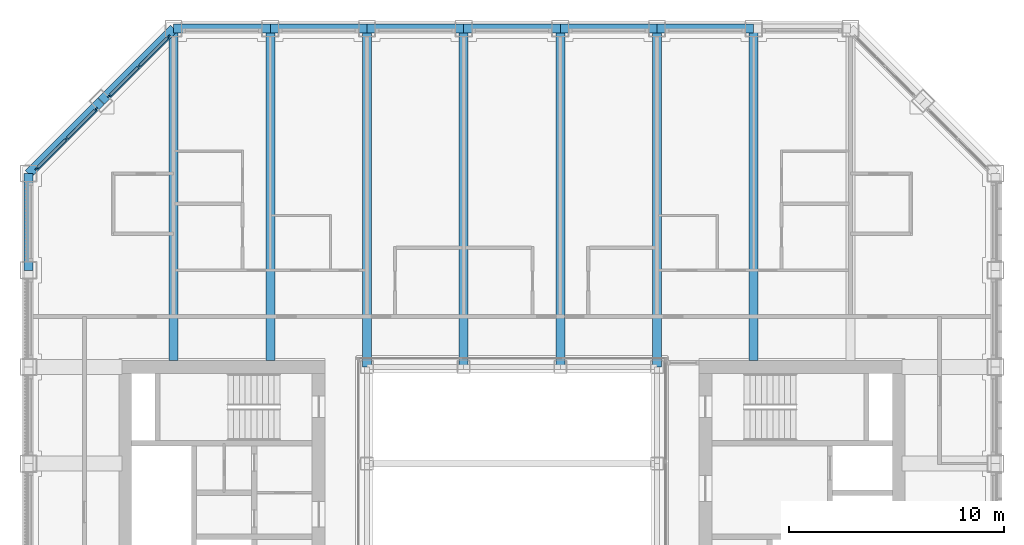
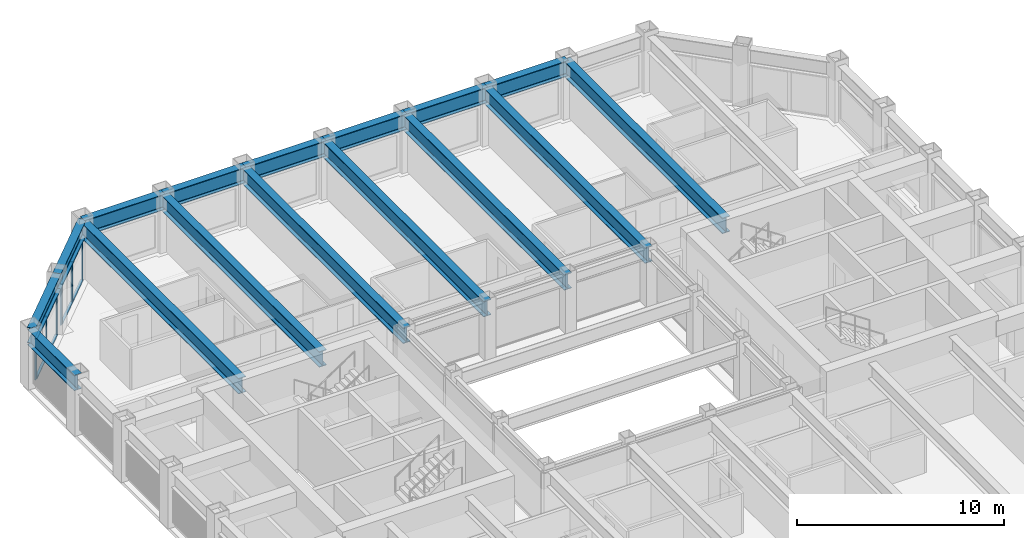
# One storey, part 7 of 18: 16 beams, 14 members, 2 elements without a shape of their own.
"""IFC4 building model written with IfcOpenShell, lengths in metres."""

from ifc_helpers import new_model, si_unit, direction, frame, origin, origin_2d, place, context, subcontext, project, spatial, rectangle, i_section, extrude, material, material_profile, profile_set, type_object, element, aggregate, save


model = new_model("IFC4")

# Units and contexts
model_context = context("Model", 3, precision=1e-05, world=origin(), true_north=direction((0.0, 1.0)))
body_context = subcontext(model_context, "Body", "Model", "MODEL_VIEW")
ifc_project = project(units=[si_unit("LENGTHUNIT", "METRE"), si_unit("AREAUNIT", "SQUARE_METRE"), si_unit("VOLUMEUNIT", "CUBIC_METRE"), si_unit("PLANEANGLEUNIT", "RADIAN"), si_unit("MASSUNIT", "GRAM", prefix="KILO")], contexts=[model_context])

# Site, building, storey
site_placement = place(None, origin())
site = spatial("IfcSite", under=ifc_project, at=site_placement, CompositionType="ELEMENT")
building_placement = place(site_placement, origin())
building = spatial("IfcBuilding", under=site, at=building_placement, Name="Msasa Ring Tower", CompositionType="ELEMENT")
storey_placement = place(building_placement, frame((0.0, 0.0, 186.800048828125)))
storey = spatial("IfcBuildingStorey", under=building, at=storey_placement, Name="L49", CompositionType="ELEMENT", Elevation=186.800048828125)

# Curtain wall, members
ifc_material_1 = material(Name="Aluminium curtain wall with clear glass", Category="aluminium")
curtain_wall_type = type_object("IfcCurtainWallType", Name="CW-C CHAMFER CORNER CURTAIN WALL", PredefinedType="NOTDEFINED", material=ifc_material_1)
curtain_wall_1_placement = place(storey_placement, origin())
curtain_wall_1 = element("IfcCurtainWall", 1, at=curtain_wall_1_placement, inside=storey, type_object=curtain_wall_type, Name="Chamfer corner curtain wall NW L49", PredefinedType="NOTDEFINED")
ifc_material_2 = material(Name="Aluminium mullion", Category="aluminium")
ifc_material_profile_1 = material_profile(ifc_material_2, rectangle(XDim=0.06494140625, YDim=0.179931640625, at=origin_2d()), Name="AL 65x180")
ifc_profile_set_1 = profile_set([ifc_material_profile_1], Name="Aluminium mullion")
member_type_1 = type_object("IfcMemberType", Name="CW-C MULLION 65x180", PredefinedType="MULLION", material=ifc_profile_set_1)
member_1_placement = place(storey_placement, frame((-19.36376953125, 18.744873046875, 0.0), z_axis=(0.0, 0.0, 1.0), x_axis=(0.707106781187, -0.707106781187, 0.0)))
member_1 = element("IfcMember", 2, at=member_1_placement, type_object=member_type_1, Name="CW-C mullion 1", PredefinedType="MULLION", context=body_context, shape_type="SweptSolid", body=[
    extrude(rectangle(XDim=0.06494140625, YDim=0.179931640625, at=origin_2d()), origin(), (0.0, 0.0, 1.0), 2.37890625),
])
member_2_placement = place(storey_placement, frame((-20.74169921875, 17.36669921875, 0.0), z_axis=(0.0, 0.0, 1.0), x_axis=(0.707106781187, -0.707106781187, 0.0)))
member_2 = element("IfcMember", 3, at=member_2_placement, type_object=member_type_1, Name="CW-C mullion 2", PredefinedType="MULLION", context=body_context, shape_type="SweptSolid", body=[
    extrude(rectangle(XDim=0.06494140625, YDim=0.179931640625, at=origin_2d()), origin(), (0.0, 0.0, 1.0), 2.37890625),
])
member_3_placement = place(storey_placement, frame((-22.119873046875, 15.98876953125, 0.0), z_axis=(0.0, 0.0, 1.0), x_axis=(0.707106781187, -0.707106781187, 0.0)))
member_3 = element("IfcMember", 4, at=member_3_placement, type_object=member_type_1, Name="CW-C mullion 3", PredefinedType="MULLION", context=body_context, shape_type="SweptSolid", body=[
    extrude(rectangle(XDim=0.06494140625, YDim=0.179931640625, at=origin_2d()), origin(), (0.0, 0.0, 1.0), 2.37890625),
])

curtain_wall_2_placement = place(storey_placement, origin())
curtain_wall_2 = element("IfcCurtainWall", 5, at=curtain_wall_2_placement, inside=storey, type_object=curtain_wall_type, Name="Chamfer corner curtain wall NW L49", PredefinedType="NOTDEFINED")
member_4_placement = place(storey_placement, frame((-15.98876953125, 22.119873046875, 0.0), z_axis=(0.0, 0.0, 1.0), x_axis=(0.707106781187, -0.707106781187, 0.0)))
member_4 = element("IfcMember", 6, at=member_4_placement, type_object=member_type_1, Name="CW-C mullion 1", PredefinedType="MULLION", context=body_context, shape_type="SweptSolid", body=[
    extrude(rectangle(XDim=0.06494140625, YDim=0.179931640625, at=origin_2d()), origin(), (0.0, 0.0, 1.0), 2.37890625),
])
member_5_placement = place(storey_placement, frame((-17.36669921875, 20.74169921875, 0.0), z_axis=(0.0, 0.0, 1.0), x_axis=(0.707106781187, -0.707106781187, 0.0)))
member_5 = element("IfcMember", 7, at=member_5_placement, type_object=member_type_1, Name="CW-C mullion 2", PredefinedType="MULLION", context=body_context, shape_type="SweptSolid", body=[
    extrude(rectangle(XDim=0.06494140625, YDim=0.179931640625, at=origin_2d()), origin(), (0.0, 0.0, 1.0), 2.37890625),
])
member_6_placement = place(storey_placement, frame((-18.744873046875, 19.36376953125, 0.0), z_axis=(0.0, 0.0, 1.0), x_axis=(0.707106781187, -0.707106781187, 0.0)))
member_6 = element("IfcMember", 8, at=member_6_placement, type_object=member_type_1, Name="CW-C mullion 3", PredefinedType="MULLION", context=body_context, shape_type="SweptSolid", body=[
    extrude(rectangle(XDim=0.06494140625, YDim=0.179931640625, at=origin_2d()), origin(), (0.0, 0.0, 1.0), 2.37890625),
])

# Member
ifc_material_3 = material(Name="Aluminium transom", Category="aluminium")
ifc_material_profile_2 = material_profile(ifc_material_3, rectangle(XDim=0.139892578125, YDim=0.06494140625, at=origin_2d()), Name="AL 65x140")
ifc_profile_set_2 = profile_set([ifc_material_profile_2], Name="Aluminium transom")
member_type_2 = type_object("IfcMemberType", Name="CW-C TRANSOM 65x140", PredefinedType="USERDEFINED", material=ifc_profile_set_2)
member_7_placement = place(storey_placement, frame((-19.38671875, 18.721923828125, 0.032470703125), z_axis=(-0.707106781187, -0.707106781187, 0.0), x_axis=(0.707106781187, -0.707106781187, 0.0)))
member_7 = element("IfcMember", 9, at=member_7_placement, type_object=member_type_2, Name="CW-C transom 1.1", ObjectType="TRANSOM", PredefinedType="USERDEFINED", context=body_context, shape_type="SweptSolid", body=[
    extrude(rectangle(XDim=0.139892578125, YDim=0.06494140625, at=origin_2d()), origin(), (0.0, 0.0, 1.0), 1.8837890625),
])

member_8_placement = place(storey_placement, frame((-19.38671875, 18.721923828125, 2.346435546875), z_axis=(-0.707106781187, -0.707106781187, 0.0), x_axis=(0.707106781187, -0.707106781187, 0.0)))
member_8 = element("IfcMember", 10, at=member_8_placement, type_object=member_type_2, Name="CW-C transom 1.2", ObjectType="TRANSOM", PredefinedType="USERDEFINED", context=body_context, shape_type="SweptSolid", body=[
    extrude(rectangle(XDim=0.139892578125, YDim=0.06494140625, at=origin_2d()), origin(), (0.0, 0.0, 1.0), 1.8837890625),
])

member_9_placement = place(storey_placement, frame((-20.764892578125, 17.34375, 0.032470703125), z_axis=(-0.707106781187, -0.707106781187, 0.0), x_axis=(0.707106781187, -0.707106781187, 0.0)))
member_9 = element("IfcMember", 11, at=member_9_placement, type_object=member_type_2, Name="CW-C transom 2.1", ObjectType="TRANSOM", PredefinedType="USERDEFINED", context=body_context, shape_type="SweptSolid", body=[
    extrude(rectangle(XDim=0.139892578125, YDim=0.06494140625, at=origin_2d()), origin(), (0.0, 0.0, 1.0), 1.8837890625),
])

member_10_placement = place(storey_placement, frame((-20.764892578125, 17.34375, 2.346435546875), z_axis=(-0.707106781187, -0.707106781187, 0.0), x_axis=(0.707106781187, -0.707106781187, 0.0)))
member_10 = element("IfcMember", 12, at=member_10_placement, type_object=member_type_2, Name="CW-C transom 2.2", ObjectType="TRANSOM", PredefinedType="USERDEFINED", context=body_context, shape_type="SweptSolid", body=[
    extrude(rectangle(XDim=0.139892578125, YDim=0.06494140625, at=origin_2d()), origin(), (0.0, 0.0, 1.0), 1.8837890625),
])

aggregate(curtain_wall_1, [member_1, member_2, member_3, member_7, member_8, member_9, member_10])

member_11_placement = place(storey_placement, frame((-16.01171875, 22.096923828125, 0.032470703125), z_axis=(-0.707106781187, -0.707106781187, 0.0), x_axis=(0.707106781187, -0.707106781187, 0.0)))
member_11 = element("IfcMember", 13, at=member_11_placement, type_object=member_type_2, Name="CW-C transom 1.1", ObjectType="TRANSOM", PredefinedType="USERDEFINED", context=body_context, shape_type="SweptSolid", body=[
    extrude(rectangle(XDim=0.139892578125, YDim=0.06494140625, at=origin_2d()), origin(), (0.0, 0.0, 1.0), 1.8837890625),
])

member_12_placement = place(storey_placement, frame((-16.01171875, 22.096923828125, 2.346435546875), z_axis=(-0.707106781187, -0.707106781187, 0.0), x_axis=(0.707106781187, -0.707106781187, 0.0)))
member_12 = element("IfcMember", 14, at=member_12_placement, type_object=member_type_2, Name="CW-C transom 1.2", ObjectType="TRANSOM", PredefinedType="USERDEFINED", context=body_context, shape_type="SweptSolid", body=[
    extrude(rectangle(XDim=0.139892578125, YDim=0.06494140625, at=origin_2d()), origin(), (0.0, 0.0, 1.0), 1.8837890625),
])

member_13_placement = place(storey_placement, frame((-17.389892578125, 20.71875, 0.032470703125), z_axis=(-0.707106781187, -0.707106781187, 0.0), x_axis=(0.707106781187, -0.707106781187, 0.0)))
member_13 = element("IfcMember", 15, at=member_13_placement, type_object=member_type_2, Name="CW-C transom 2.1", ObjectType="TRANSOM", PredefinedType="USERDEFINED", context=body_context, shape_type="SweptSolid", body=[
    extrude(rectangle(XDim=0.139892578125, YDim=0.06494140625, at=origin_2d()), origin(), (0.0, 0.0, 1.0), 1.8837890625),
])

member_14_placement = place(storey_placement, frame((-17.389892578125, 20.71875, 2.346435546875), z_axis=(-0.707106781187, -0.707106781187, 0.0), x_axis=(0.707106781187, -0.707106781187, 0.0)))
member_14 = element("IfcMember", 16, at=member_14_placement, type_object=member_type_2, Name="CW-C transom 2.2", ObjectType="TRANSOM", PredefinedType="USERDEFINED", context=body_context, shape_type="SweptSolid", body=[
    extrude(rectangle(XDim=0.139892578125, YDim=0.06494140625, at=origin_2d()), origin(), (0.0, 0.0, 1.0), 1.8837890625),
])

aggregate(curtain_wall_2, [member_4, member_5, member_6, member_11, member_12, member_13, member_14])

# Beams
ifc_material_4 = material(Name="Steel S355", Category="steel")
ifc_material_profile_3 = material_profile(ifc_material_4, i_section(OverallWidth=0.42041015625, OverallDepth=0.9208984375, WebThickness=0.021484375, FlangeThickness=0.03662109375, FilletRadius=0.024169921875, at=origin_2d()), Name="UB 914x419x388")
ifc_profile_set_3 = profile_set([ifc_material_profile_3], Name="Steel S355")
beam_type_1 = type_object("IfcBeamType", Name="FB2 UB 914x419x388", PredefinedType="BEAM", material=ifc_profile_set_3)
for number, where, z_axis, x_axis, name in (
    (17, (-15.75, 22.5, 2.83935546875), (0.0, -1.0, 0.0), (1.0, 0.0, 0.0), "Floor beam N-15.75 under L50"),
    (18, (-11.25, 22.5, 2.83935546875), (0.0, -1.0, 0.0), (1.0, 0.0, 0.0), "Floor beam N-11.25 under L50"),
):
    element("IfcBeam", number, at=place(storey_placement, frame(where, z_axis=z_axis, x_axis=x_axis)), inside=storey, type_object=beam_type_1, Name=name, PredefinedType="BEAM", context=body_context, shape_type="SweptSolid", body=[
        extrude(i_section(OverallWidth=0.42041015625, OverallDepth=0.9208984375, WebThickness=0.021484375, FlangeThickness=0.03662109375, FilletRadius=0.024169921875, at=origin_2d()), origin(), (0.0, 0.0, 1.0), 15.449951171875),
    ])
for number, where, z_axis, x_axis, name in (
    (19, (-6.75, 22.5, 2.83935546875), (0.0, -1.0, 0.0), (1.0, 0.0, 0.0), "Floor beam N-6.75 under L50"),
    (20, (-2.25, 22.5, 2.83935546875), (0.0, -1.0, 0.0), (1.0, 0.0, 0.0), "Floor beam N-2.25 under L50"),
    (21, (2.25, 22.5, 2.83935546875), (0.0, -1.0, 0.0), (1.0, 0.0, 0.0), "Floor beam N+2.25 under L50"),
    (22, (6.75, 22.5, 2.83935546875), (0.0, -1.0, 0.0), (1.0, 0.0, 0.0), "Floor beam N+6.75 under L50"),
):
    element("IfcBeam", number, at=place(storey_placement, frame(where, z_axis=z_axis, x_axis=x_axis)), inside=storey, type_object=beam_type_1, Name=name, PredefinedType="BEAM", context=body_context, shape_type="SweptSolid", body=[
        extrude(i_section(OverallWidth=0.42041015625, OverallDepth=0.9208984375, WebThickness=0.021484375, FlangeThickness=0.03662109375, FilletRadius=0.024169921875, at=origin_2d()), origin(), (0.0, 0.0, 1.0), 15.75),
    ])
beam_1_placement = place(storey_placement, frame((11.25, 22.5, 2.83935546875), z_axis=(0.0, -1.0, 0.0), x_axis=(1.0, 0.0, 0.0)))
element("IfcBeam", 23, at=beam_1_placement, inside=storey, type_object=beam_type_1, Name="Floor beam N+11.25 under L50", PredefinedType="BEAM", context=body_context, shape_type="SweptSolid", body=[
    extrude(i_section(OverallWidth=0.42041015625, OverallDepth=0.9208984375, WebThickness=0.021484375, FlangeThickness=0.03662109375, FilletRadius=0.024169921875, at=origin_2d()), origin(), (0.0, 0.0, 1.0), 15.449951171875),
])
ifc_material_5 = material(Name="Steel S355", Category="steel")
ifc_material_profile_4 = material_profile(ifc_material_5, i_section(OverallWidth=0.42041015625, OverallDepth=0.9208984375, WebThickness=0.021484375, FlangeThickness=0.03662109375, FilletRadius=0.024169921875, at=origin_2d()), Name="UB 914x419x388")
ifc_profile_set_4 = profile_set([ifc_material_profile_4], Name="Steel S355")
beam_type_2 = type_object("IfcBeamType", Name="SB1 UB 914x419x388", PredefinedType="SPANDREL", material=ifc_profile_set_4)
for number, where, z_axis, x_axis, name in (
    (24, (11.25, 22.5, 2.83935546875), (-1.0, 0.0, 0.0), (0.0, -1.0, 0.0), "Spandrel N+11.25 to N+6.75 under L50"),
    (25, (6.75, 22.5, 2.83935546875), (-1.0, 0.0, 0.0), (0.0, -1.0, 0.0), "Spandrel N+6.75 to N+2.25 under L50"),
    (26, (2.25, 22.5, 2.83935546875), (-1.0, 0.0, 0.0), (0.0, -1.0, 0.0), "Spandrel N+2.25 to N-2.25 under L50"),
    (27, (-2.25, 22.5, 2.83935546875), (-1.0, 0.0, 0.0), (0.0, -1.0, 0.0), "Spandrel N-2.25 to N-6.75 under L50"),
    (28, (-6.75, 22.5, 2.83935546875), (-1.0, 0.0, 0.0), (0.0, -1.0, 0.0), "Spandrel N-6.75 to N-11.25 under L50"),
    (29, (-11.25, 22.5, 2.83935546875), (-1.0, 0.0, 0.0), (0.0, -1.0, 0.0), "Spandrel N-11.25 to N-15.75 under L50"),
):
    element("IfcBeam", number, at=place(storey_placement, frame(where, z_axis=z_axis, x_axis=x_axis)), inside=storey, type_object=beam_type_2, Name=name, PredefinedType="SPANDREL", context=body_context, shape_type="SweptSolid", body=[
        extrude(i_section(OverallWidth=0.42041015625, OverallDepth=0.9208984375, WebThickness=0.021484375, FlangeThickness=0.03662109375, FilletRadius=0.024169921875, at=origin_2d()), origin(), (0.0, 0.0, 1.0), 4.5),
    ])
for number, where, z_axis, x_axis, name in (
    (30, (-15.75, 22.5, 2.83935546875), (-0.707106781187, -0.707106781187, 0.0), (0.707106781187, -0.707106781187, 0.0), "Spandrel N-15.75 to NW under L50"),
    (31, (-19.125, 19.125, 2.83935546875), (-0.707106781187, -0.707106781187, 0.0), (0.707106781187, -0.707106781187, 0.0), "Spandrel NW to W+15.75 under L50"),
):
    element("IfcBeam", number, at=place(storey_placement, frame(where, z_axis=z_axis, x_axis=x_axis)), inside=storey, type_object=beam_type_2, Name=name, PredefinedType="SPANDREL", context=body_context, shape_type="SweptSolid", body=[
        extrude(i_section(OverallWidth=0.42041015625, OverallDepth=0.9208984375, WebThickness=0.021484375, FlangeThickness=0.03662109375, FilletRadius=0.024169921875, at=origin_2d()), origin(), (0.0, 0.0, 1.0), 4.77294921875),
    ])
beam_2_placement = place(storey_placement, frame((-22.5, 15.75, 2.83935546875), z_axis=(0.0, -1.0, 0.0), x_axis=(1.0, 0.0, 0.0)))
element("IfcBeam", 32, at=beam_2_placement, inside=storey, type_object=beam_type_2, Name="Spandrel W+15.75 to W+11.25 under L50", PredefinedType="SPANDREL", context=body_context, shape_type="SweptSolid", body=[
    extrude(i_section(OverallWidth=0.42041015625, OverallDepth=0.9208984375, WebThickness=0.021484375, FlangeThickness=0.03662109375, FilletRadius=0.024169921875, at=origin_2d()), origin(), (0.0, 0.0, 1.0), 4.5),
])

save(model, "model.ifc")
